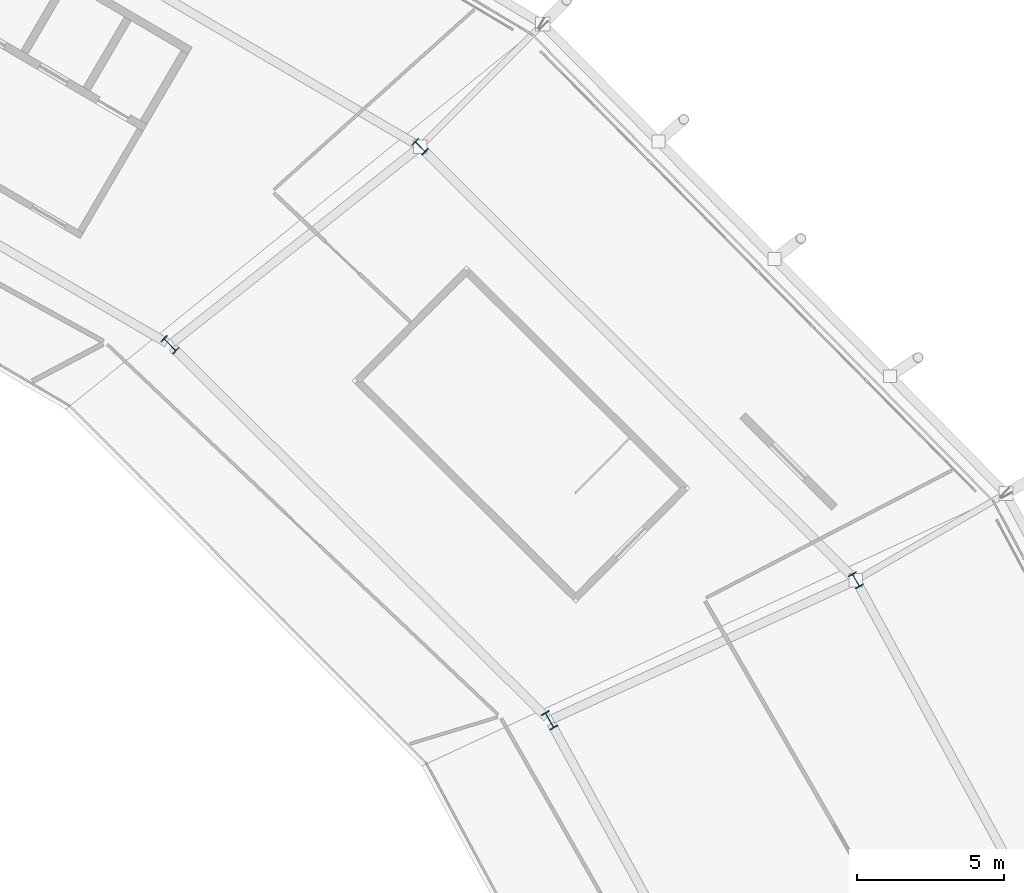
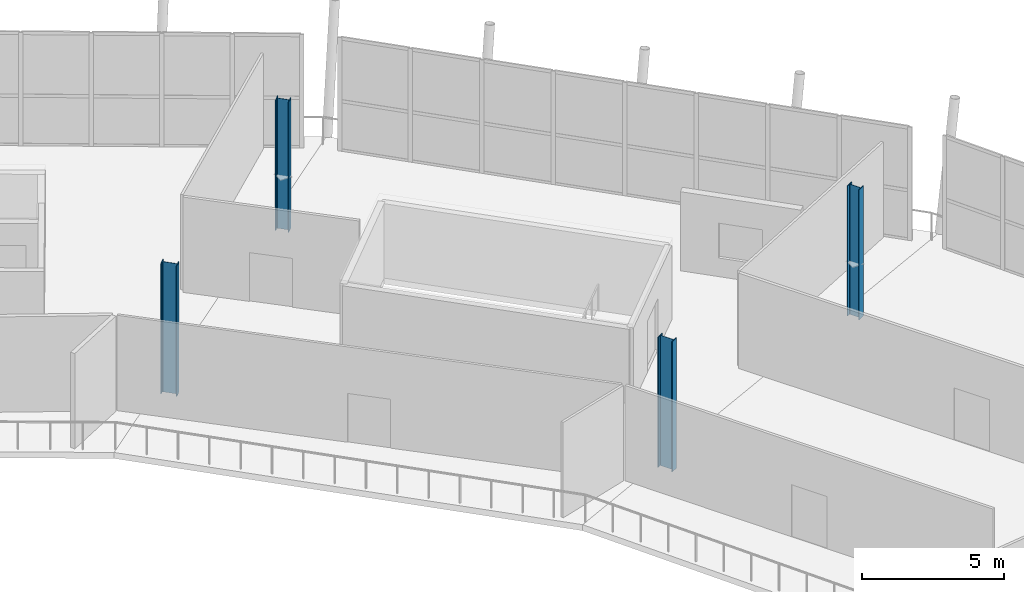
# One storey, part 8 of 99: 4 columns.
"""IFC4 building model written with IfcOpenShell, lengths in metres."""

from ifc_helpers import new_model, si_unit, direction, frame, origin, origin_2d, place, context, subcontext, project, spatial, i_section, extrude, material, material_profile, profile_set, type_object, element, save


model = new_model("IFC4")

# Units and contexts
model_context = context("Model", 3, precision=1e-05, world=origin(), true_north=direction((0.0, 1.0)))
body_context = subcontext(model_context, "Body", "Model", "MODEL_VIEW")
ifc_project = project(units=[si_unit("LENGTHUNIT", "METRE"), si_unit("AREAUNIT", "SQUARE_METRE"), si_unit("VOLUMEUNIT", "CUBIC_METRE"), si_unit("PLANEANGLEUNIT", "RADIAN"), si_unit("MASSUNIT", "GRAM", prefix="KILO")], contexts=[model_context])

# Site, building, storey
site_placement = place(None, origin())
site = spatial("IfcSite", under=ifc_project, at=site_placement, CompositionType="ELEMENT")
building_placement = place(site_placement, origin())
building = spatial("IfcBuilding", under=site, at=building_placement, Name="Zlatoyarsky Gate Stadium", CompositionType="ELEMENT")
storey_placement = place(building_placement, frame((0.0, 0.0, 26.199951171875)))
storey = spatial("IfcBuildingStorey", under=building, at=storey_placement, Name="L05", CompositionType="ELEMENT", Elevation=26.199951171875)

# Columns
ifc_material = material(Name="Steel S355", Category="steel")
ifc_material_profile_1 = material_profile(ifc_material, i_section(OverallWidth=0.300048828125, OverallDepth=0.5, WebThickness=0.014404296875, FlangeThickness=0.028076171875, FilletRadius=0.027099609375, at=origin_2d()), Name="HEB 500")
ifc_profile_set_1 = profile_set([ifc_material_profile_1], Name="Steel S355")
column_type_1 = type_object("IfcColumnType", Name="STEEL COLUMN HEB 500", PredefinedType="COLUMN", material=ifc_profile_set_1)
for number, where, z_axis, x_axis, name in (
    (1, (191.540283203125, 115.5, 0.0), (0.0, 0.0, 1.0), (0.866025403784, 0.5, 0.0), "Column ST-C500 RC-02 on L05"),
    (2, (176.760986328125, 130.20458984375, 0.0), (0.0, 0.0, 1.0), (0.707106781187, 0.707106781187, 0.0), "Column ST-C500 RC-03 on L05"),
):
    element("IfcColumn", number, at=place(storey_placement, frame(where, z_axis=z_axis, x_axis=x_axis)), inside=storey, type_object=column_type_1, Name=name, PredefinedType="COLUMN", context=body_context, shape_type="SweptSolid", body=[
        extrude(i_section(OverallWidth=0.300048828125, OverallDepth=0.5, WebThickness=0.014404296875, FlangeThickness=0.028076171875, FilletRadius=0.027099609375, at=origin_2d()), origin(), (0.0, 0.0, 1.0), 5.60009765625),
    ])
ifc_material_profile_2 = material_profile(ifc_material, i_section(OverallWidth=0.300048828125, OverallDepth=0.60009765625, WebThickness=0.015380859375, FlangeThickness=0.030029296875, FilletRadius=0.027099609375, at=origin_2d()), Name="HEB 600")
ifc_profile_set_2 = profile_set([ifc_material_profile_2], Name="Steel S355")
column_type_2 = type_object("IfcColumnType", Name="STEEL COLUMN HEB 600", PredefinedType="COLUMN", material=ifc_profile_set_2)
for number, where, z_axis, x_axis, name in (
    (3, (181.148193359375, 110.75, 0.0), (0.0, 0.0, 1.0), (0.866025403784, 0.5, 0.0), "Column ST-C600 RB-02 on L05"),
    (4, (168.275634765625, 123.487060546875, 0.0), (0.0, 0.0, 1.0), (0.707106781187, 0.707106781187, 0.0), "Column ST-C600 RB-03 on L05"),
):
    element("IfcColumn", number, at=place(storey_placement, frame(where, z_axis=z_axis, x_axis=x_axis)), inside=storey, type_object=column_type_2, Name=name, PredefinedType="COLUMN", context=body_context, shape_type="SweptSolid", body=[
        extrude(i_section(OverallWidth=0.300048828125, OverallDepth=0.60009765625, WebThickness=0.015380859375, FlangeThickness=0.030029296875, FilletRadius=0.027099609375, at=origin_2d()), origin(), (0.0, 0.0, 1.0), 5.60009765625),
    ])

save(model, "model.ifc")
